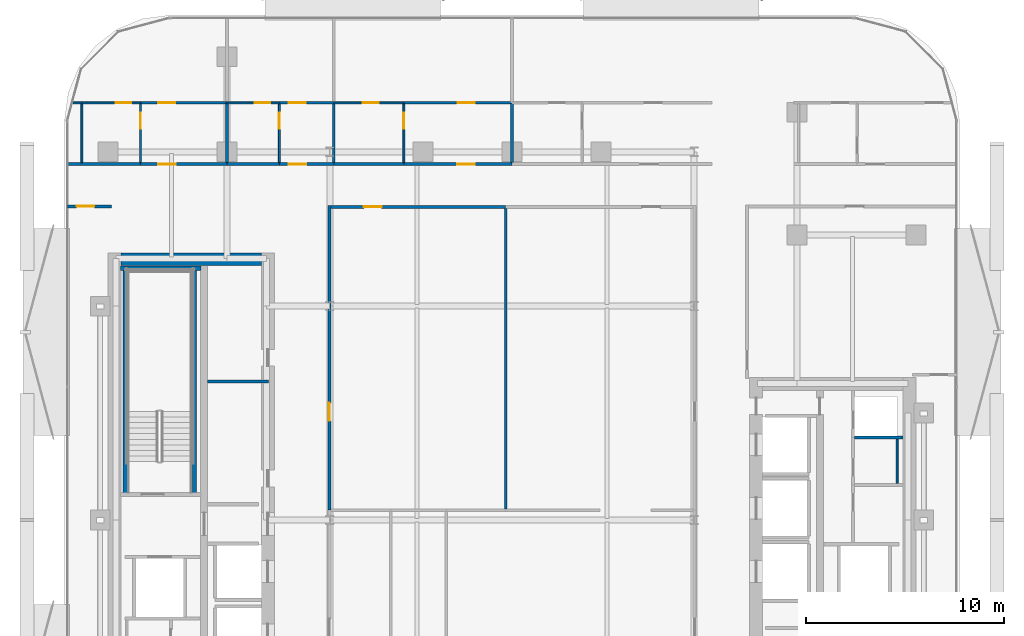
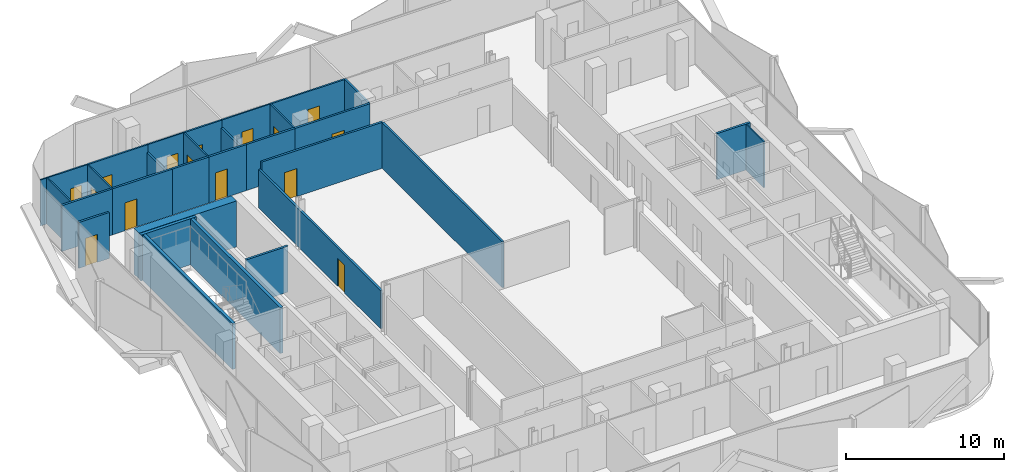
# One storey, part 6 of 17: 30 walls, 15 doors, 15 openings.
"""IFC4 building model written with IfcOpenShell, lengths in metres."""

from ifc_helpers import new_model, si_unit, direction, frame, frame_2d, origin, place, context, subcontext, project, spatial, rectangle, extrude, material, layer, layer_set, type_object, element, fill, save


model = new_model("IFC4")

# Units and contexts
model_context = context("Model", 3, precision=1e-05, world=origin(), true_north=direction((0.0, 1.0)))
body_context = subcontext(model_context, "Body", "Model", "MODEL_VIEW")
ifc_project = project(units=[si_unit("LENGTHUNIT", "METRE"), si_unit("AREAUNIT", "SQUARE_METRE"), si_unit("VOLUMEUNIT", "CUBIC_METRE"), si_unit("PLANEANGLEUNIT", "RADIAN"), si_unit("MASSUNIT", "GRAM", prefix="KILO")], contexts=[model_context])

# Site, building, storey
site_placement = place(None, origin())
site = spatial("IfcSite", under=ifc_project, at=site_placement, CompositionType="ELEMENT")
building_placement = place(site_placement, origin())
building = spatial("IfcBuilding", under=site, at=building_placement, Name="Khairoan Windgate Tower", CompositionType="ELEMENT")
storey_placement = place(building_placement, frame((0.0, 0.0, 180.199951171875)))
storey = spatial("IfcBuildingStorey", under=building, at=storey_placement, Name="L41", CompositionType="ELEMENT", Elevation=180.199951171875)

# Wall, opening, door
ifc_material_1 = material(Name="Moisture-Resistant Gypsum Partition", Category="gypsum")
ifc_layer_1 = layer(ifc_material_1, 0.10009765625, Name="Moisture-Resistant Gypsum Partition")
ifc_layer_set_1 = layer_set([ifc_layer_1], Name="Moisture-Resistant Gypsum Partition")
wall_type_1 = type_object("IfcWallType", Name="Bathroom Wet-Area Partition Wall", PredefinedType="PARTITIONING", material=ifc_layer_set_1)
wall_1_placement = place(storey_placement, frame((-18.763916015625, 18.054931640625, 0.0), z_axis=(0.0, 0.0, 1.0), x_axis=(0.0, 1.0, 0.0)))
wall_1 = element("IfcWall", 1, at=wall_1_placement, inside=storey, type_object=wall_type_1, Name="L41 Interior Partition 055", PredefinedType="PARTITIONING", context=body_context, shape_type="SweptSolid", body=[
    extrude(rectangle(XDim=2.965087890625, YDim=0.10009765625, at=frame_2d((1.482421875, 0.0))), origin(), (0.0, 0.0, 1.0), 3.5400390625),
])
opening_1_placement = place(wall_1_placement, frame((1.705078125, 0.0, 0.0)))
opening_1 = element("IfcOpeningElement", 2, at=opening_1_placement, cuts=wall_1, Name="Opening ID-BTH", PredefinedType="OPENING", context=body_context, shape_type="SweptSolid", body=[
    extrude(rectangle(XDim=0.800048828125, YDim=2.10009765625, at=frame_2d((0.39990234375, 1.050048828125))), frame((0.0, 0.06005859375, 0.0), z_axis=(0.0, -1.0, 0.0), x_axis=(1.0, 0.0, 0.0)), (0.0, 0.0, 1.0), 0.1201171875),
])
ifc_material_2 = material(Name="Teak Veneer Timber Leaf", Category="wood")
door_type_1 = type_object("IfcDoorType", Name="Internal Bathroom Door ID-BTH 800x2100", OperationType="NOTDEFINED", PredefinedType="DOOR", material=ifc_material_2)
door_1_placement = place(opening_1_placement, origin())
door_1 = element("IfcDoor", 3, at=door_1_placement, inside=storey, type_object=door_type_1, Name="L41 L41-39-L41-40 Door", OperationType="SINGLE_SWING_RIGHT", OverallHeight=2.10009765625, OverallWidth=0.800048828125, PredefinedType="DOOR", context=body_context, shape_type="SweptSolid", body=[
    extrude(rectangle(XDim=0.800048828125, YDim=2.10009765625, at=frame_2d((0.39990234375, 1.050048828125))), frame((0.0, 0.02490234375, 0.0), z_axis=(0.0, -1.0, 0.0), x_axis=(1.0, 0.0, 0.0)), (0.0, 0.0, 1.0), 0.050048828125),
])
fill(opening_1, door_1)

wall_2_placement = place(storey_placement, frame((-22.2197265625, 21.070068359375, 0.0), z_axis=(0.0, 0.0, 1.0), x_axis=(1.0, 0.0, 0.0)))
wall_2 = element("IfcWall", 4, at=wall_2_placement, inside=storey, type_object=wall_type_1, Name="L41 Interior Partition 056", PredefinedType="PARTITIONING", context=body_context, shape_type="SweptSolid", body=[
    extrude(rectangle(XDim=3.455810546875, YDim=0.10009765625, at=frame_2d((1.72802734375, 0.0))), origin(), (0.0, 0.0, 1.0), 3.5400390625),
])
opening_2_placement = place(wall_2_placement, frame((2.19580078125, 0.0, 0.0)))
opening_2 = element("IfcOpeningElement", 5, at=opening_2_placement, cuts=wall_2, Name="Opening ID-BTH", PredefinedType="OPENING", context=body_context, shape_type="SweptSolid", body=[
    extrude(rectangle(XDim=0.800048828125, YDim=2.10009765625, at=frame_2d((0.39990234375, 1.050048828125))), frame((0.0, 0.06005859375, 0.0), z_axis=(0.0, -1.0, 0.0), x_axis=(1.0, 0.0, 0.0)), (0.0, 0.0, 1.0), 0.1201171875),
])
door_2_placement = place(opening_2_placement, origin())
door_2 = element("IfcDoor", 6, at=door_2_placement, inside=storey, type_object=door_type_1, Name="L41 L41-39-L41-41 Door", OperationType="SINGLE_SWING_LEFT", OverallHeight=2.10009765625, OverallWidth=0.800048828125, PredefinedType="DOOR", context=body_context, shape_type="SweptSolid", body=[
    extrude(rectangle(XDim=0.800048828125, YDim=2.10009765625, at=frame_2d((0.39990234375, 1.050048828125))), frame((0.0, 0.02490234375, 0.0), z_axis=(0.0, -1.0, 0.0), x_axis=(1.0, 0.0, 0.0)), (0.0, 0.0, 1.0), 0.050048828125),
])
fill(opening_2, door_2)

wall_3_placement = place(storey_placement, frame((-11.7451171875, 18.054931640625, 0.0), z_axis=(0.0, 0.0, 1.0), x_axis=(0.0, 1.0, 0.0)))
wall_3 = element("IfcWall", 7, at=wall_3_placement, inside=storey, type_object=wall_type_1, Name="L41 Interior Partition 060", PredefinedType="PARTITIONING", context=body_context, shape_type="SweptSolid", body=[
    extrude(rectangle(XDim=2.965087890625, YDim=0.10009765625, at=frame_2d((1.482421875, 0.0))), origin(), (0.0, 0.0, 1.0), 3.5400390625),
])
opening_3_placement = place(wall_3_placement, frame((1.705078125, 0.0, 0.0)))
opening_3 = element("IfcOpeningElement", 8, at=opening_3_placement, cuts=wall_3, Name="Opening ID-BTH", PredefinedType="OPENING", context=body_context, shape_type="SweptSolid", body=[
    extrude(rectangle(XDim=0.800048828125, YDim=2.10009765625, at=frame_2d((0.39990234375, 1.050048828125))), frame((0.0, 0.06005859375, 0.0), z_axis=(0.0, -1.0, 0.0), x_axis=(1.0, 0.0, 0.0)), (0.0, 0.0, 1.0), 0.1201171875),
])
door_3_placement = place(opening_3_placement, origin())
door_3 = element("IfcDoor", 9, at=door_3_placement, inside=storey, type_object=door_type_1, Name="L41 L41-42-L41-43 Door", OperationType="SINGLE_SWING_LEFT", OverallHeight=2.10009765625, OverallWidth=0.800048828125, PredefinedType="DOOR", context=body_context, shape_type="SweptSolid", body=[
    extrude(rectangle(XDim=0.800048828125, YDim=2.10009765625, at=frame_2d((0.39990234375, 1.050048828125))), frame((0.0, 0.02490234375, 0.0), z_axis=(0.0, -1.0, 0.0), x_axis=(1.0, 0.0, 0.0)), (0.0, 0.0, 1.0), 0.050048828125),
])
fill(opening_3, door_3)

wall_4_placement = place(storey_placement, frame((-14.39990234375, 21.070068359375, 0.0), z_axis=(0.0, 0.0, 1.0), x_axis=(1.0, 0.0, 0.0)))
wall_4 = element("IfcWall", 10, at=wall_4_placement, inside=storey, type_object=wall_type_1, Name="L41 Interior Partition 061", PredefinedType="PARTITIONING", context=body_context, shape_type="SweptSolid", body=[
    extrude(rectangle(XDim=2.65478515625, YDim=0.10009765625, at=frame_2d((1.327392578125, 0.0))), origin(), (0.0, 0.0, 1.0), 3.5400390625),
])
opening_4_placement = place(wall_4_placement, frame((1.39501953125, 0.0, 0.0)))
opening_4 = element("IfcOpeningElement", 11, at=opening_4_placement, cuts=wall_4, Name="Opening ID-BTH", PredefinedType="OPENING", context=body_context, shape_type="SweptSolid", body=[
    extrude(rectangle(XDim=0.800048828125, YDim=2.10009765625, at=frame_2d((0.39990234375, 1.050048828125))), frame((0.0, 0.06005859375, 0.0), z_axis=(0.0, -1.0, 0.0), x_axis=(1.0, 0.0, 0.0)), (0.0, 0.0, 1.0), 0.1201171875),
])
door_4_placement = place(opening_4_placement, origin())
door_4 = element("IfcDoor", 12, at=door_4_placement, inside=storey, type_object=door_type_1, Name="L41 L41-42-L41-44 Door", OperationType="SINGLE_SWING_RIGHT", OverallHeight=2.10009765625, OverallWidth=0.800048828125, PredefinedType="DOOR", context=body_context, shape_type="SweptSolid", body=[
    extrude(rectangle(XDim=0.800048828125, YDim=2.10009765625, at=frame_2d((0.39990234375, 1.050048828125))), frame((0.0, 0.02490234375, 0.0), z_axis=(0.0, -1.0, 0.0), x_axis=(1.0, 0.0, 0.0)), (0.0, 0.0, 1.0), 0.050048828125),
])
fill(opening_4, door_4)

wall_5_placement = place(storey_placement, frame((-5.4599609375, 18.054931640625, 0.0), z_axis=(0.0, 0.0, 1.0), x_axis=(0.0, 1.0, 0.0)))
wall_5 = element("IfcWall", 13, at=wall_5_placement, inside=storey, type_object=wall_type_1, Name="L41 Interior Partition 065", PredefinedType="PARTITIONING", context=body_context, shape_type="SweptSolid", body=[
    extrude(rectangle(XDim=2.965087890625, YDim=0.10009765625, at=frame_2d((1.482421875, 0.0))), origin(), (0.0, 0.0, 1.0), 3.5400390625),
])
opening_5_placement = place(wall_5_placement, frame((1.705078125, 0.0, 0.0)))
opening_5 = element("IfcOpeningElement", 14, at=opening_5_placement, cuts=wall_5, Name="Opening ID-BTH", PredefinedType="OPENING", context=body_context, shape_type="SweptSolid", body=[
    extrude(rectangle(XDim=0.800048828125, YDim=2.10009765625, at=frame_2d((0.39990234375, 1.050048828125))), frame((0.0, 0.06005859375, 0.0), z_axis=(0.0, -1.0, 0.0), x_axis=(1.0, 0.0, 0.0)), (0.0, 0.0, 1.0), 0.1201171875),
])
door_5_placement = place(opening_5_placement, origin())
door_5 = element("IfcDoor", 15, at=door_5_placement, inside=storey, type_object=door_type_1, Name="L41 L41-45-L41-46 Door", OperationType="SINGLE_SWING_RIGHT", OverallHeight=2.10009765625, OverallWidth=0.800048828125, PredefinedType="DOOR", context=body_context, shape_type="SweptSolid", body=[
    extrude(rectangle(XDim=0.800048828125, YDim=2.10009765625, at=frame_2d((0.39990234375, 1.050048828125))), frame((0.0, 0.02490234375, 0.0), z_axis=(0.0, -1.0, 0.0), x_axis=(1.0, 0.0, 0.0)), (0.0, 0.0, 1.0), 0.050048828125),
])
fill(opening_5, door_5)

wall_6_placement = place(storey_placement, frame((-9.0, 21.070068359375, 0.0), z_axis=(0.0, 0.0, 1.0), x_axis=(1.0, 0.0, 0.0)))
wall_6 = element("IfcWall", 16, at=wall_6_placement, inside=storey, type_object=wall_type_1, Name="L41 Interior Partition 066", PredefinedType="PARTITIONING", context=body_context, shape_type="SweptSolid", body=[
    extrude(rectangle(XDim=3.5400390625, YDim=0.10009765625, at=frame_2d((1.77001953125, 0.0))), origin(), (0.0, 0.0, 1.0), 3.5400390625),
])
opening_6_placement = place(wall_6_placement, frame((1.47119140625, 0.0, 0.0)))
opening_6 = element("IfcOpeningElement", 17, at=opening_6_placement, cuts=wall_6, Name="Opening ID-BTH", PredefinedType="OPENING", context=body_context, shape_type="SweptSolid", body=[
    extrude(rectangle(XDim=0.800048828125, YDim=2.10009765625, at=frame_2d((0.39990234375, 1.050048828125))), frame((0.0, 0.06005859375, 0.0), z_axis=(0.0, -1.0, 0.0), x_axis=(1.0, 0.0, 0.0)), (0.0, 0.0, 1.0), 0.1201171875),
])
door_6_placement = place(opening_6_placement, origin())
door_6 = element("IfcDoor", 18, at=door_6_placement, inside=storey, type_object=door_type_1, Name="L41 L41-45-L41-47 Door", OperationType="SINGLE_SWING_LEFT", OverallHeight=2.10009765625, OverallWidth=0.800048828125, PredefinedType="DOOR", context=body_context, shape_type="SweptSolid", body=[
    extrude(rectangle(XDim=0.800048828125, YDim=2.10009765625, at=frame_2d((0.39990234375, 1.050048828125))), frame((0.0, 0.02490234375, 0.0), z_axis=(0.0, -1.0, 0.0), x_axis=(1.0, 0.0, 0.0)), (0.0, 0.0, 1.0), 0.050048828125),
])
fill(opening_6, door_6)

# Walls
wall_7_placement = place(storey_placement, frame((19.449951171875, 4.090087890625, 0.0), z_axis=(0.0, 0.0, 1.0), x_axis=(0.0, -1.0, 0.0)))
element("IfcWall", 19, at=wall_7_placement, inside=storey, type_object=wall_type_1, Name="L41 Wet Room Side Wall 096", PredefinedType="PARTITIONING", context=body_context, shape_type="SweptSolid", body=[
    extrude(rectangle(XDim=2.239990234375, YDim=0.10009765625, at=frame_2d((1.1201171875, 0.0))), origin(), (0.0, 0.0, 1.0), 3.5400390625),
])
wall_8_placement = place(storey_placement, frame((-21.719970703125, 18.054931640625, 0.0), z_axis=(0.0, 0.0, 1.0), x_axis=(0.0, 1.0, 0.0)))
element("IfcWall", 20, at=wall_8_placement, inside=storey, type_object=wall_type_1, Name="L41 Wet Room Side Wall 098", PredefinedType="PARTITIONING", context=body_context, shape_type="SweptSolid", body=[
    extrude(rectangle(XDim=2.965087890625, YDim=0.10009765625, at=frame_2d((1.482421875, 0.0))), origin(), (0.0, 0.0, 1.0), 3.5400390625),
])
ifc_material_3 = material(Name="Acoustic Fire-Rated Gypsum Partition", Category="gypsum")
ifc_layer_2 = layer(ifc_material_3, 0.139892578125, Name="Acoustic Fire-Rated Gypsum Partition")
ifc_layer_set_2 = layer_set([ifc_layer_2], Name="Acoustic Fire-Rated Gypsum Partition")
wall_type_2 = type_object("IfcWallType", Name="Inter-Tenancy Compartment Wall", PredefinedType="PARTITIONING", material=ifc_layer_set_2)
wall_9_placement = place(storey_placement, frame((-0.320068359375, 0.570068359375, 0.0), z_axis=(0.0, 0.0, 1.0), x_axis=(0.0, 1.0, 0.0)))
element("IfcWall", 21, at=wall_9_placement, inside=storey, type_object=wall_type_2, Name="L41 Interior Partition 054", PredefinedType="PARTITIONING", context=body_context, shape_type="SweptSolid", body=[
    extrude(rectangle(XDim=15.175048828125, YDim=0.139892578125, at=frame_2d((7.58740234375, 0.0))), origin(), (0.0, 0.0, 1.0), 3.5400390625),
])
for number, where, z_axis, x_axis, name in (
    (22, (-14.39990234375, 18.054931640625, 0.0), (0.0, 0.0, 1.0), (0.0, 1.0, 0.0), "L41 Interior Partition 058"),
    (23, (-9.0, 18.054931640625, 0.0), (0.0, 0.0, 1.0), (0.0, 1.0, 0.0), "L41 Interior Partition 063"),
):
    element("IfcWall", number, at=place(storey_placement, frame(where, z_axis=z_axis, x_axis=x_axis)), inside=storey, type_object=wall_type_2, Name=name, PredefinedType="PARTITIONING", context=body_context, shape_type="SweptSolid", body=[
        extrude(rectangle(XDim=3.01513671875, YDim=0.139892578125, at=frame_2d((1.507568359375, 0.0))), origin(), (0.0, 0.0, 1.0), 2.9521484375),
    ])
wall_10_placement = place(storey_placement, frame((0.0, 18.054931640625, 0.0), z_axis=(0.0, 0.0, 1.0), x_axis=(0.0, 1.0, 0.0)))
element("IfcWall", 24, at=wall_10_placement, inside=storey, type_object=wall_type_2, Name="L41 Interior Partition 068", PredefinedType="PARTITIONING", context=body_context, shape_type="SweptSolid", body=[
    extrude(rectangle(XDim=3.01513671875, YDim=0.139892578125, at=frame_2d((1.507568359375, 0.0))), origin(), (0.0, 0.0, 1.0), 3.5400390625),
])

# Wall, opening, door
ifc_material_4 = material(Name="Gypsum Stud Partition", Category="gypsum")
ifc_layer_3 = layer(ifc_material_4, 0.1201171875, Name="Gypsum Stud Partition")
ifc_layer_set_3 = layer_set([ifc_layer_3], Name="Gypsum Stud Partition")
wall_type_3 = type_object("IfcWallType", Name="Internal Room Partition Wall", PredefinedType="PARTITIONING", material=ifc_layer_set_3)
wall_11_placement = place(storey_placement, frame((-18.763916015625, 21.070068359375, 0.0), z_axis=(0.0, 0.0, 1.0), x_axis=(1.0, 0.0, 0.0)))
wall_11 = element("IfcWall", 25, at=wall_11_placement, inside=storey, type_object=wall_type_3, Name="L41 Interior Partition 057", PredefinedType="PARTITIONING", context=body_context, shape_type="SweptSolid", body=[
    extrude(rectangle(XDim=4.364013671875, YDim=0.1201171875, at=frame_2d((2.18212890625, 0.0))), origin(), (0.0, 0.0, 1.0), 3.5400390625),
])
opening_7_placement = place(wall_11_placement, frame((0.890625, 0.0, 0.0)))
opening_7 = element("IfcOpeningElement", 26, at=opening_7_placement, cuts=wall_11, Name="Opening ID-RM", PredefinedType="OPENING", context=body_context, shape_type="SweptSolid", body=[
    extrude(rectangle(XDim=0.860107421875, YDim=2.14990234375, at=frame_2d((0.43017578125, 1.074951171875))), frame((0.0, 0.070068359375, 0.0), z_axis=(0.0, -1.0, 0.0), x_axis=(1.0, 0.0, 0.0)), (0.0, 0.0, 1.0), 0.14013671875),
])
ifc_material_5 = material(Name="Teak Veneer Timber Leaf", Category="wood")
door_type_2 = type_object("IfcDoorType", Name="Internal Bedroom and Office Door ID-RM 860x2150", OperationType="NOTDEFINED", PredefinedType="DOOR", material=ifc_material_5)
door_7_placement = place(opening_7_placement, origin())
door_7 = element("IfcDoor", 27, at=door_7_placement, inside=storey, type_object=door_type_2, Name="L41 L41-40-L41-41 Door", OperationType="SINGLE_SWING_RIGHT", OverallHeight=2.14990234375, OverallWidth=0.860107421875, PredefinedType="DOOR", context=body_context, shape_type="SweptSolid", body=[
    extrude(rectangle(XDim=0.860107421875, YDim=2.14990234375, at=frame_2d((0.43017578125, 1.074951171875))), frame((0.0, 0.02490234375, 0.0), z_axis=(0.0, -1.0, 0.0), x_axis=(1.0, 0.0, 0.0)), (0.0, 0.0, 1.0), 0.050048828125),
])
fill(opening_7, door_7)

wall_12_placement = place(storey_placement, frame((-11.7451171875, 21.070068359375, 0.0), z_axis=(0.0, 0.0, 1.0), x_axis=(1.0, 0.0, 0.0)))
wall_12 = element("IfcWall", 28, at=wall_12_placement, inside=storey, type_object=wall_type_3, Name="L41 Interior Partition 062", PredefinedType="PARTITIONING", context=body_context, shape_type="SweptSolid", body=[
    extrude(rectangle(XDim=2.7451171875, YDim=0.1201171875, at=frame_2d((1.37255859375, 0.0))), origin(), (0.0, 0.0, 1.0), 3.5400390625),
])
opening_8_placement = place(wall_12_placement, frame((0.4599609375, 0.0, 0.0)))
opening_8 = element("IfcOpeningElement", 29, at=opening_8_placement, cuts=wall_12, Name="Opening ID-RM", PredefinedType="OPENING", context=body_context, shape_type="SweptSolid", body=[
    extrude(rectangle(XDim=0.860107421875, YDim=2.14990234375, at=frame_2d((0.43017578125, 1.074951171875))), frame((0.0, 0.070068359375, 0.0), z_axis=(0.0, -1.0, 0.0), x_axis=(1.0, 0.0, 0.0)), (0.0, 0.0, 1.0), 0.14013671875),
])
door_8_placement = place(opening_8_placement, origin())
door_8 = element("IfcDoor", 30, at=door_8_placement, inside=storey, type_object=door_type_2, Name="L41 L41-43-L41-44 Door", OperationType="SINGLE_SWING_LEFT", OverallHeight=2.14990234375, OverallWidth=0.860107421875, PredefinedType="DOOR", context=body_context, shape_type="SweptSolid", body=[
    extrude(rectangle(XDim=0.860107421875, YDim=2.14990234375, at=frame_2d((0.43017578125, 1.074951171875))), frame((0.0, 0.02490234375, 0.0), z_axis=(0.0, -1.0, 0.0), x_axis=(1.0, 0.0, 0.0)), (0.0, 0.0, 1.0), 0.050048828125),
])
fill(opening_8, door_8)

wall_13_placement = place(storey_placement, frame((-5.4599609375, 21.070068359375, 0.0), z_axis=(0.0, 0.0, 1.0), x_axis=(1.0, 0.0, 0.0)))
wall_13 = element("IfcWall", 31, at=wall_13_placement, inside=storey, type_object=wall_type_3, Name="L41 Interior Partition 067", PredefinedType="PARTITIONING", context=body_context, shape_type="SweptSolid", body=[
    extrude(rectangle(XDim=5.4599609375, YDim=0.1201171875, at=frame_2d((2.72998046875, 0.0))), origin(), (0.0, 0.0, 1.0), 3.5400390625),
])
opening_9_placement = place(wall_13_placement, frame((2.708984375, 0.0, 0.0)))
opening_9 = element("IfcOpeningElement", 32, at=opening_9_placement, cuts=wall_13, Name="Opening ID-RM", PredefinedType="OPENING", context=body_context, shape_type="SweptSolid", body=[
    extrude(rectangle(XDim=0.860107421875, YDim=2.14990234375, at=frame_2d((0.43017578125, 1.074951171875))), frame((0.0, 0.070068359375, 0.0), z_axis=(0.0, -1.0, 0.0), x_axis=(1.0, 0.0, 0.0)), (0.0, 0.0, 1.0), 0.14013671875),
])
door_9_placement = place(opening_9_placement, origin())
door_9 = element("IfcDoor", 33, at=door_9_placement, inside=storey, type_object=door_type_2, Name="L41 L41-46-L41-47 Door", OperationType="SINGLE_SWING_RIGHT", OverallHeight=2.14990234375, OverallWidth=0.860107421875, PredefinedType="DOOR", context=body_context, shape_type="SweptSolid", body=[
    extrude(rectangle(XDim=0.860107421875, YDim=2.14990234375, at=frame_2d((0.43017578125, 1.074951171875))), frame((0.0, 0.02490234375, 0.0), z_axis=(0.0, -1.0, 0.0), x_axis=(1.0, 0.0, 0.0)), (0.0, 0.0, 1.0), 0.050048828125),
])
fill(opening_9, door_9)

# Walls
ifc_material_6 = material(Name="Concrete C40/50", Category="concrete")
ifc_layer_4 = layer(ifc_material_6, 0.159912109375, Name="Concrete C40/50")
ifc_layer_set_4 = layer_set([ifc_layer_4], Name="Concrete C40/50")
wall_type_4 = type_object("IfcWallType", Name="Plant and Refuge Compartment Wall", PredefinedType="PARTITIONING", material=ifc_layer_set_4)
wall_14_placement = place(storey_placement, frame((-15.375, 7.0, 0.0), z_axis=(0.0, 0.0, 1.0), x_axis=(1.0, 0.0, 0.0)))
element("IfcWall", 34, at=wall_14_placement, inside=storey, type_object=wall_type_4, Name="L41 Interior Partition 006", PredefinedType="PARTITIONING", context=body_context, shape_type="SweptSolid", body=[
    extrude(rectangle(XDim=3.06494140625, YDim=0.159912109375, at=frame_2d((1.532470703125, 0.0))), origin(), (0.0, 0.0, 1.0), 3.5400390625),
])
wall_15_placement = place(storey_placement, frame((17.31005859375, 4.169921875, 0.0), z_axis=(0.0, 0.0, 1.0), x_axis=(1.0, 0.0, 0.0)))
element("IfcWall", 35, at=wall_15_placement, inside=storey, type_object=wall_type_4, Name="L41 Interior Partition 010", PredefinedType="PARTITIONING", context=body_context, shape_type="SweptSolid", body=[
    extrude(rectangle(XDim=2.43994140625, YDim=0.159912109375, at=frame_2d((1.219970703125, 0.0))), origin(), (0.0, 0.0, 1.0), 3.5400390625),
])

# Wall, opening, door
ifc_material_7 = material(Name="Acoustic Fire-Rated Gypsum Partition", Category="gypsum")
ifc_layer_5 = layer(ifc_material_7, 0.14990234375, Name="Acoustic Fire-Rated Gypsum Partition")
ifc_layer_set_5 = layer_set([ifc_layer_5], Name="Acoustic Fire-Rated Gypsum Partition")
wall_type_5 = type_object("IfcWallType", Name="Rated Corridor Partition Wall", PredefinedType="PARTITIONING", material=ifc_layer_set_5)
wall_16_placement = place(storey_placement, frame((-9.219970703125, 0.5, 0.0), z_axis=(0.0, 0.0, 1.0), x_axis=(0.0, 1.0, 0.0)))
wall_16 = element("IfcWall", 36, at=wall_16_placement, inside=storey, type_object=wall_type_5, Name="L41 Interior Partition 013", PredefinedType="PARTITIONING", context=body_context, shape_type="SweptSolid", body=[
    extrude(rectangle(XDim=15.39501953125, YDim=0.14990234375, at=frame_2d((7.697509765625, 0.0))), origin(), (0.0, 0.0, 1.0), 2.9521484375),
])
opening_10_placement = place(wall_16_placement, frame((4.51220703125, 0.0, 0.0)))
opening_10 = element("IfcOpeningElement", 37, at=opening_10_placement, cuts=wall_16, Name="Opening FD-ENT", PredefinedType="OPENING", context=body_context, shape_type="SweptSolid", body=[
    extrude(rectangle(XDim=0.89990234375, YDim=2.14990234375, at=frame_2d((0.449951171875, 1.074951171875))), frame((0.0, 0.0849609375, 0.0), z_axis=(0.0, -1.0, 0.0), x_axis=(1.0, 0.0, 0.0)), (0.0, 0.0, 1.0), 0.169921875),
])
ifc_material_8 = material(Name="Timber Fire-Rated Core", Category="wood")
door_type_3 = type_object("IfcDoorType", Name="Unit and Office Fire Entrance Door FD-ENT 900x2150", OperationType="NOTDEFINED", PredefinedType="DOOR", material=ifc_material_8)
door_10_placement = place(opening_10_placement, origin())
door_10 = element("IfcDoor", 38, at=door_10_placement, inside=storey, type_object=door_type_3, Name="L41 L41-28-L41-37 Door", OperationType="SINGLE_SWING_LEFT", OverallHeight=2.14990234375, OverallWidth=0.89990234375, PredefinedType="DOOR", context=body_context, shape_type="SweptSolid", body=[
    extrude(rectangle(XDim=0.89990234375, YDim=2.14990234375, at=frame_2d((0.449951171875, 1.074951171875))), frame((0.0, 0.02490234375, 0.0), z_axis=(0.0, -1.0, 0.0), x_axis=(1.0, 0.0, 0.0)), (0.0, 0.0, 1.0), 0.050048828125),
])
fill(opening_10, door_10)

wall_17_placement = place(storey_placement, frame((-9.14501953125, 15.820068359375, 0.0), z_axis=(0.0, 0.0, 1.0), x_axis=(1.0, 0.0, 0.0)))
wall_17 = element("IfcWall", 39, at=wall_17_placement, inside=storey, type_object=wall_type_5, Name="L41 Interior Partition 017", PredefinedType="PARTITIONING", context=body_context, shape_type="SweptSolid", body=[
    extrude(rectangle(XDim=8.824951171875, YDim=0.14990234375, at=frame_2d((4.41259765625, 0.0))), origin(), (0.0, 0.0, 1.0), 3.5400390625),
])
opening_11_placement = place(wall_17_placement, frame((1.660888671875, 0.0, 0.0)))
opening_11 = element("IfcOpeningElement", 40, at=opening_11_placement, cuts=wall_17, Name="Opening FD-ENT", PredefinedType="OPENING", context=body_context, shape_type="SweptSolid", body=[
    extrude(rectangle(XDim=0.89990234375, YDim=2.14990234375, at=frame_2d((0.449951171875, 1.074951171875))), frame((0.0, 0.0849609375, 0.0), z_axis=(0.0, -1.0, 0.0), x_axis=(1.0, 0.0, 0.0)), (0.0, 0.0, 1.0), 0.169921875),
])
door_11_placement = place(opening_11_placement, origin())
door_11 = element("IfcDoor", 41, at=door_11_placement, inside=storey, type_object=door_type_3, Name="L41 L41-30-L41-37 Door", OperationType="SINGLE_SWING_LEFT", OverallHeight=2.14990234375, OverallWidth=0.89990234375, PredefinedType="DOOR", context=body_context, shape_type="SweptSolid", body=[
    extrude(rectangle(XDim=0.89990234375, YDim=2.14990234375, at=frame_2d((0.449951171875, 1.074951171875))), frame((0.0, 0.02490234375, 0.0), z_axis=(0.0, -1.0, 0.0), x_axis=(1.0, 0.0, 0.0)), (0.0, 0.0, 1.0), 0.050048828125),
])
fill(opening_11, door_11)

# Wall
wall_18_placement = place(storey_placement, frame((-22.455078125, 17.97998046875, 0.0), z_axis=(0.0, 0.0, 1.0), x_axis=(1.0, 0.0, 0.0)))
element("IfcWall", 42, at=wall_18_placement, inside=storey, type_object=wall_type_5, Name="L41 Interior Partition 019", PredefinedType="PARTITIONING", context=body_context, shape_type="SweptSolid", body=[
    extrude(rectangle(XDim=3.691162109375, YDim=0.14990234375, at=frame_2d((1.845703125, 0.0))), origin(), (0.0, 0.0, 1.0), 3.5400390625),
])

# Wall, opening, door
wall_19_placement = place(storey_placement, frame((-18.763916015625, 17.97998046875, 0.0), z_axis=(0.0, 0.0, 1.0), x_axis=(1.0, 0.0, 0.0)))
wall_19 = element("IfcWall", 43, at=wall_19_placement, inside=storey, type_object=wall_type_5, Name="L41 Interior Partition 020", PredefinedType="PARTITIONING", context=body_context, shape_type="SweptSolid", body=[
    extrude(rectangle(XDim=4.364013671875, YDim=0.14990234375, at=frame_2d((2.18212890625, 0.0))), origin(), (0.0, 0.0, 1.0), 3.5400390625),
])
opening_12_placement = place(wall_19_placement, frame((0.884033203125, 0.0, 0.0)))
opening_12 = element("IfcOpeningElement", 44, at=opening_12_placement, cuts=wall_19, Name="Opening FD-ENT", PredefinedType="OPENING", context=body_context, shape_type="SweptSolid", body=[
    extrude(rectangle(XDim=0.89990234375, YDim=2.14990234375, at=frame_2d((0.449951171875, 1.074951171875))), frame((0.0, 0.0849609375, 0.0), z_axis=(0.0, -1.0, 0.0), x_axis=(1.0, 0.0, 0.0)), (0.0, 0.0, 1.0), 0.169921875),
])
door_12_placement = place(opening_12_placement, origin())
door_12 = element("IfcDoor", 45, at=door_12_placement, inside=storey, type_object=door_type_3, Name="L41 L41-30-L41-40 Door", OperationType="SINGLE_SWING_LEFT", OverallHeight=2.14990234375, OverallWidth=0.89990234375, PredefinedType="DOOR", context=body_context, shape_type="SweptSolid", body=[
    extrude(rectangle(XDim=0.89990234375, YDim=2.14990234375, at=frame_2d((0.449951171875, 1.074951171875))), frame((0.0, 0.02490234375, 0.0), z_axis=(0.0, -1.0, 0.0), x_axis=(1.0, 0.0, 0.0)), (0.0, 0.0, 1.0), 0.050048828125),
])
fill(opening_12, door_12)

# Wall
wall_20_placement = place(storey_placement, frame((-14.39990234375, 17.97998046875, 0.0), z_axis=(0.0, 0.0, 1.0), x_axis=(1.0, 0.0, 0.0)))
element("IfcWall", 46, at=wall_20_placement, inside=storey, type_object=wall_type_5, Name="L41 Interior Partition 021", PredefinedType="PARTITIONING", context=body_context, shape_type="SweptSolid", body=[
    extrude(rectangle(XDim=2.65478515625, YDim=0.14990234375, at=frame_2d((1.327392578125, 0.0))), origin(), (0.0, 0.0, 1.0), 3.5400390625),
])

# Wall, opening, door
wall_21_placement = place(storey_placement, frame((-11.7451171875, 17.97998046875, 0.0), z_axis=(0.0, 0.0, 1.0), x_axis=(1.0, 0.0, 0.0)))
wall_21 = element("IfcWall", 47, at=wall_21_placement, inside=storey, type_object=wall_type_5, Name="L41 Interior Partition 022", PredefinedType="PARTITIONING", context=body_context, shape_type="SweptSolid", body=[
    extrude(rectangle(XDim=2.7451171875, YDim=0.14990234375, at=frame_2d((1.37255859375, 0.0))), origin(), (0.0, 0.0, 1.0), 3.5400390625),
])
opening_13_placement = place(wall_21_placement, frame((0.4599609375, 0.0, 0.0)))
opening_13 = element("IfcOpeningElement", 48, at=opening_13_placement, cuts=wall_21, Name="Opening FD-ENT", PredefinedType="OPENING", context=body_context, shape_type="SweptSolid", body=[
    extrude(rectangle(XDim=0.89990234375, YDim=2.14990234375, at=frame_2d((0.449951171875, 1.074951171875))), frame((0.0, 0.0849609375, 0.0), z_axis=(0.0, -1.0, 0.0), x_axis=(1.0, 0.0, 0.0)), (0.0, 0.0, 1.0), 0.169921875),
])
door_13_placement = place(opening_13_placement, origin())
door_13 = element("IfcDoor", 49, at=door_13_placement, inside=storey, type_object=door_type_3, Name="L41 L41-30-L41-43 Door", OperationType="SINGLE_SWING_RIGHT", OverallHeight=2.14990234375, OverallWidth=0.89990234375, PredefinedType="DOOR", context=body_context, shape_type="SweptSolid", body=[
    extrude(rectangle(XDim=0.89990234375, YDim=2.14990234375, at=frame_2d((0.449951171875, 1.074951171875))), frame((0.0, 0.02490234375, 0.0), z_axis=(0.0, -1.0, 0.0), x_axis=(1.0, 0.0, 0.0)), (0.0, 0.0, 1.0), 0.050048828125),
])
fill(opening_13, door_13)

# Wall
wall_22_placement = place(storey_placement, frame((-9.0, 17.97998046875, 0.0), z_axis=(0.0, 0.0, 1.0), x_axis=(1.0, 0.0, 0.0)))
element("IfcWall", 50, at=wall_22_placement, inside=storey, type_object=wall_type_5, Name="L41 Interior Partition 023", PredefinedType="PARTITIONING", context=body_context, shape_type="SweptSolid", body=[
    extrude(rectangle(XDim=3.5400390625, YDim=0.14990234375, at=frame_2d((1.77001953125, 0.0))), origin(), (0.0, 0.0, 1.0), 3.5400390625),
])

# Wall, opening, door
wall_23_placement = place(storey_placement, frame((-5.4599609375, 17.97998046875, 0.0), z_axis=(0.0, 0.0, 1.0), x_axis=(1.0, 0.0, 0.0)))
wall_23 = element("IfcWall", 51, at=wall_23_placement, inside=storey, type_object=wall_type_5, Name="L41 Interior Partition 024", PredefinedType="PARTITIONING", context=body_context, shape_type="SweptSolid", body=[
    extrude(rectangle(XDim=5.4599609375, YDim=0.14990234375, at=frame_2d((2.72998046875, 0.0))), origin(), (0.0, 0.0, 1.0), 3.5400390625),
])
opening_14_placement = place(wall_23_placement, frame((2.684326171875, 0.0, 0.0)))
opening_14 = element("IfcOpeningElement", 52, at=opening_14_placement, cuts=wall_23, Name="Opening FD-ENT", PredefinedType="OPENING", context=body_context, shape_type="SweptSolid", body=[
    extrude(rectangle(XDim=0.89990234375, YDim=2.14990234375, at=frame_2d((0.449951171875, 1.074951171875))), frame((0.0, 0.0849609375, 0.0), z_axis=(0.0, -1.0, 0.0), x_axis=(1.0, 0.0, 0.0)), (0.0, 0.0, 1.0), 0.169921875),
])
door_14_placement = place(opening_14_placement, origin())
door_14 = element("IfcDoor", 53, at=door_14_placement, inside=storey, type_object=door_type_3, Name="L41 L41-30-L41-46 Door", OperationType="SINGLE_SWING_LEFT", OverallHeight=2.14990234375, OverallWidth=0.89990234375, PredefinedType="DOOR", context=body_context, shape_type="SweptSolid", body=[
    extrude(rectangle(XDim=0.89990234375, YDim=2.14990234375, at=frame_2d((0.449951171875, 1.074951171875))), frame((0.0, 0.02490234375, 0.0), z_axis=(0.0, -1.0, 0.0), x_axis=(1.0, 0.0, 0.0)), (0.0, 0.0, 1.0), 0.050048828125),
])
fill(opening_14, door_14)

wall_24_placement = place(storey_placement, frame((-22.455078125, 15.840087890625, 0.0), z_axis=(0.0, 0.0, 1.0), x_axis=(1.0, 0.0, 0.0)))
wall_24 = element("IfcWall", 54, at=wall_24_placement, inside=storey, type_object=wall_type_5, Name="L41 Interior Partition 030", PredefinedType="PARTITIONING", context=body_context, shape_type="SweptSolid", body=[
    extrude(rectangle(XDim=2.215087890625, YDim=0.14990234375, at=frame_2d((1.107421875, 0.0))), origin(), (0.0, 0.0, 1.0), 3.5400390625),
])
opening_15_placement = place(wall_24_placement, frame((0.4599609375, 0.0, 0.0)))
opening_15 = element("IfcOpeningElement", 55, at=opening_15_placement, cuts=wall_24, Name="Opening FD-ENT", PredefinedType="OPENING", context=body_context, shape_type="SweptSolid", body=[
    extrude(rectangle(XDim=0.89990234375, YDim=2.14990234375, at=frame_2d((0.449951171875, 1.074951171875))), frame((0.0, 0.0849609375, 0.0), z_axis=(0.0, -1.0, 0.0), x_axis=(1.0, 0.0, 0.0)), (0.0, 0.0, 1.0), 0.169921875),
])
door_15_placement = place(opening_15_placement, origin())
door_15 = element("IfcDoor", 56, at=door_15_placement, inside=storey, type_object=door_type_3, Name="L41 L41-30-L41-67 Door", OperationType="SINGLE_SWING_LEFT", OverallHeight=2.14990234375, OverallWidth=0.89990234375, PredefinedType="DOOR", context=body_context, shape_type="SweptSolid", body=[
    extrude(rectangle(XDim=0.89990234375, YDim=2.14990234375, at=frame_2d((0.449951171875, 1.074951171875))), frame((0.0, 0.02490234375, 0.0), z_axis=(0.0, -1.0, 0.0), x_axis=(1.0, 0.0, 0.0)), (0.0, 0.0, 1.0), 0.050048828125),
])
fill(opening_15, door_15)

# Walls
ifc_material_9 = material(Name="Concrete C60/75", Category="concrete")
ifc_layer_6 = layer(ifc_material_9, 0.64990234375, Name="Concrete C60/75")
ifc_layer_set_6 = layer_set([ifc_layer_6], Name="Concrete C60/75")
wall_type_6 = type_object("IfcWallType", Name="Shear Wall CW-W2 650mm", PredefinedType="SHEAR", material=ifc_layer_set_6)
wall_25_placement = place(storey_placement, frame((-19.75, 13.175048828125, 0.0), z_axis=(0.0, 0.0, 1.0), x_axis=(1.0, 0.0, 0.0)))
element("IfcWall", 57, at=wall_25_placement, inside=storey, type_object=wall_type_6, Name="W Core North Shear Wall L41", PredefinedType="SHEAR", context=body_context, shape_type="SweptSolid", body=[
    extrude(rectangle(XDim=7.10009765625, YDim=0.64990234375, at=frame_2d((3.550048828125, 0.0))), origin(), (0.0, 0.0, 1.0), 3.5400390625),
])
ifc_material_10 = material(Name="Concrete C50/60", Category="concrete")
ifc_layer_7 = layer(ifc_material_10, 0.219970703125, Name="Concrete C50/60")
ifc_layer_set_7 = layer_set([ifc_layer_7], Name="Concrete C50/60")
wall_type_7 = type_object("IfcWallType", Name="Shear Wall SW-ST 220mm", PredefinedType="SHEAR", material=ifc_layer_set_7)
for number, where, z_axis, x_axis, name in (
    (58, (-16.0400390625, 1.2900390625, 0.0), (0.0, 0.0, 1.0), (0.0, 1.0, 0.0), "L41 Stair ST2 East Bearing Wall"),
    (59, (-19.530029296875, 1.2900390625, 0.0), (0.0, 0.0, 1.0), (0.0, 1.0, 0.0), "L41 Stair ST2 West Bearing Wall"),
):
    element("IfcWall", number, at=place(storey_placement, frame(where, z_axis=z_axis, x_axis=x_axis)), inside=storey, type_object=wall_type_7, Name=name, PredefinedType="SHEAR", context=body_context, shape_type="SweptSolid", body=[
        extrude(rectangle(XDim=11.419921875, YDim=0.219970703125, at=frame_2d((5.7099609375, 0.0))), origin(), (0.0, 0.0, 1.0), 3.5400390625),
    ])
wall_26_placement = place(storey_placement, frame((-19.77001953125, 12.7099609375, 0.0), z_axis=(0.0, 0.0, 1.0), x_axis=(1.0, 0.0, 0.0)))
element("IfcWall", 60, at=wall_26_placement, inside=storey, type_object=wall_type_7, Name="L41 Stair ST2 North Bearing Wall", PredefinedType="SHEAR", context=body_context, shape_type="SweptSolid", body=[
    extrude(rectangle(XDim=4.06494140625, YDim=0.219970703125, at=frame_2d((2.032470703125, 0.0))), origin(), (0.0, 0.0, 1.0), 3.5400390625),
])

save(model, "model.ifc")
